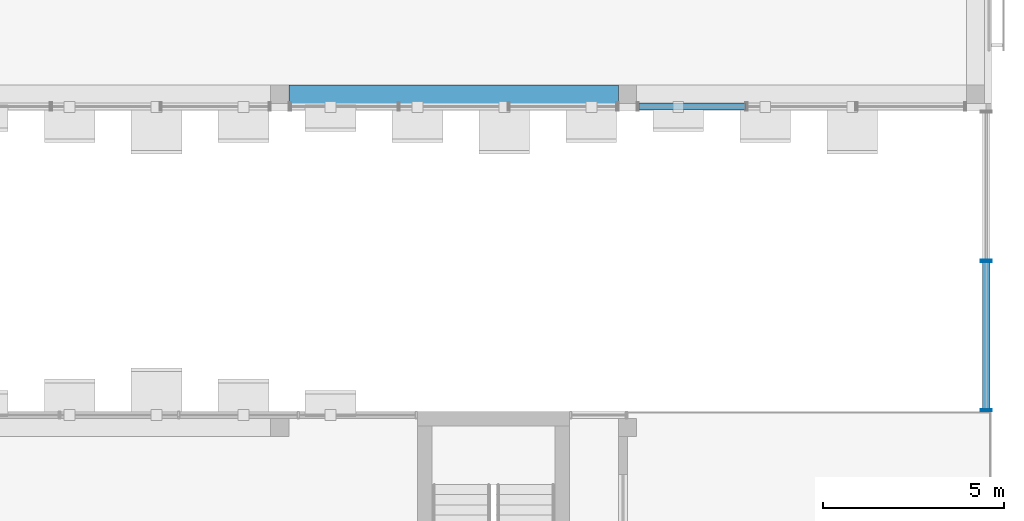
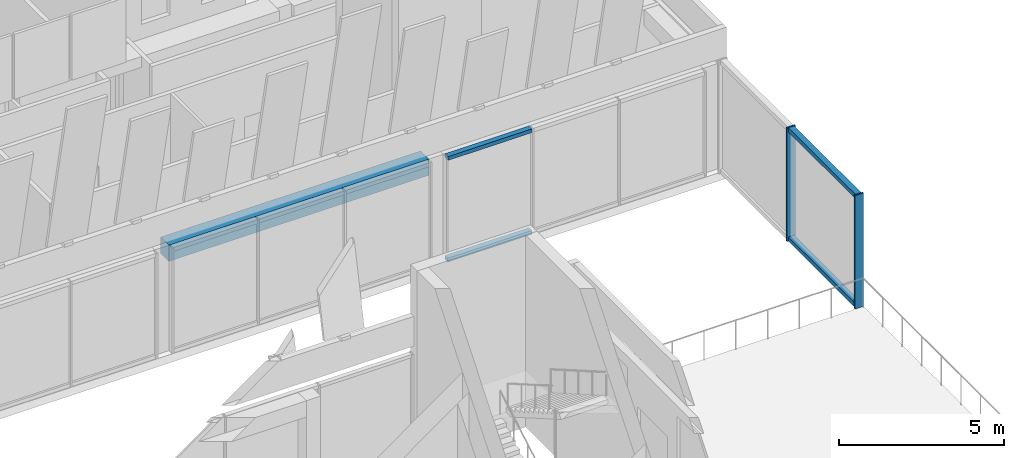
# One storey, part 9 of 26: 6 members, 1 beam, 2 elements without a shape of their own.
"""IFC4 building model written with IfcOpenShell, lengths in metres."""

from ifc_helpers import new_model, si_unit, direction, frame, origin, origin_2d, place, context, subcontext, project, spatial, rectangle, hollow_rectangle, extrude, material, layer, layer_set, material_profile, profile_set, type_object, element, aggregate, save


model = new_model("IFC4")

# Units and contexts
model_context = context("Model", 3, precision=1e-05, world=origin(), true_north=direction((0.0, 1.0)))
body_context = subcontext(model_context, "Body", "Model", "MODEL_VIEW")
ifc_project = project(units=[si_unit("LENGTHUNIT", "METRE"), si_unit("AREAUNIT", "SQUARE_METRE"), si_unit("VOLUMEUNIT", "CUBIC_METRE"), si_unit("PLANEANGLEUNIT", "RADIAN"), si_unit("MASSUNIT", "GRAM", prefix="KILO")], contexts=[model_context])

# Site, building, storey
site_placement = place(None, origin())
site = spatial("IfcSite", under=ifc_project, at=site_placement, CompositionType="ELEMENT")
building_placement = place(site_placement, origin())
building = spatial("IfcBuilding", under=site, at=building_placement, Name="Nzadi Deep Aquarium and Research Tower", CompositionType="ELEMENT")
storey_placement = place(building_placement, frame((0.0, 0.0, 78.10009765625)))
storey = spatial("IfcBuildingStorey", under=building, at=storey_placement, Name="L16", CompositionType="ELEMENT", Elevation=78.10009765625)

# Curtain wall, members
ifc_material_1 = material(Name="Aluminium unitised frame wind post", Category="aluminium")
ifc_layer_1 = layer(ifc_material_1, 0.300048828125)
ifc_layer_set_1 = layer_set([ifc_layer_1], Name="Aluminium unitised frame wind post")
curtain_wall_type_1 = type_object("IfcCurtainWallType", Name="Curtain wall Slot End 300", PredefinedType="NOTDEFINED", material=ifc_layer_set_1)
curtain_wall_1_placement = place(storey_placement, origin())
curtain_wall_1 = element("IfcCurtainWall", 1, at=curtain_wall_1_placement, inside=storey, type_object=curtain_wall_type_1, Name="Glazed slot end east L16", PredefinedType="NOTDEFINED")
ifc_material_2 = material(Name="Aluminium unitised frame wind post", Category="aluminium")
ifc_material_profile_1 = material_profile(ifc_material_2, hollow_rectangle(XDim=0.300048828125, YDim=0.06005859375, WallThickness=0.0048828125, at=origin_2d()))
ifc_profile_set_1 = profile_set([ifc_material_profile_1], Name="Aluminium unitised frame wind post")
member_type_1 = type_object("IfcMemberType", Name="Mullion 60x300 Slot End", PredefinedType="MULLION", material=ifc_profile_set_1)
member_1_placement = place(storey_placement, frame((38.699951171875, 18.8798828125, 0.0), z_axis=(0.0, 0.0, 1.0), x_axis=(-1.0, 0.0, 0.0)))
member_1 = element("IfcMember", 2, at=member_1_placement, type_object=member_type_1, Name="CW224 mullion 1", PredefinedType="MULLION", context=body_context, shape_type="SweptSolid", body=[
    extrude(hollow_rectangle(XDim=0.300048828125, YDim=0.06005859375, WallThickness=0.0048828125, at=origin_2d()), origin(), (0.0, 0.0, 1.0), 4.199951171875),
])
member_2_placement = place(storey_placement, frame((38.699951171875, 23.0, 0.0), z_axis=(0.0, 0.0, 1.0), x_axis=(-1.0, 0.0, 0.0)))
member_2 = element("IfcMember", 3, at=member_2_placement, type_object=member_type_1, Name="CW224 mullion 2", PredefinedType="MULLION", context=body_context, shape_type="SweptSolid", body=[
    extrude(hollow_rectangle(XDim=0.300048828125, YDim=0.06005859375, WallThickness=0.0048828125, at=origin_2d()), origin(), (0.0, 0.0, 1.0), 4.199951171875),
])

# Beam
ifc_material_3 = material(Name="Concrete C35/45", Category="concrete")
ifc_material_profile_2 = material_profile(ifc_material_3, rectangle(XDim=0.5, YDim=0.60009765625, at=origin_2d()))
ifc_profile_set_2 = profile_set([ifc_material_profile_2], Name="Concrete C35/45")
beam_type = type_object("IfcBeamType", Name="RC 500x600", PredefinedType="BEAM", material=ifc_profile_set_2)
beam_placement = place(storey_placement, frame((19.449951171875, 27.60009765625, 3.599853515625), z_axis=(1.0, 0.0, 0.0), x_axis=(0.0, 1.0, 0.0)))
element("IfcBeam", 4, at=beam_placement, inside=storey, type_object=beam_type, Name="B-Z1-L16-L4-3", PredefinedType="BEAM", context=body_context, shape_type="SweptSolid", body=[
    extrude(rectangle(XDim=0.5, YDim=0.60009765625, at=origin_2d()), origin(), (0.0, 0.0, 1.0), 9.10009765625),
])

# Curtain wall, members
ifc_material_4 = material(Name="Aluminium unitised frame deep", Category="aluminium")
ifc_layer_2 = layer(ifc_material_4, 0.22509765625)
ifc_layer_set_2 = layer_set([ifc_layer_2], Name="Aluminium unitised frame deep")
curtain_wall_type_2 = type_object("IfcCurtainWallType", Name="Curtain wall Unitised Deep 225", PredefinedType="NOTDEFINED", material=ifc_layer_set_2)
curtain_wall_2_placement = place(storey_placement, origin())
curtain_wall_2 = element("IfcCurtainWall", 5, at=curtain_wall_2_placement, inside=storey, type_object=curtain_wall_type_2, Name="Unitised curtain wall blade B south L16", PredefinedType="NOTDEFINED")
ifc_material_5 = material(Name="Aluminium unitised frame deep", Category="aluminium")
ifc_material_profile_3 = material_profile(ifc_material_5, hollow_rectangle(XDim=0.179931640625, YDim=0.139892578125, WallThickness=0.0048828125, at=origin_2d()))
ifc_profile_set_3 = profile_set([ifc_material_profile_3], Name="Aluminium unitised frame deep")
member_type_2 = type_object("IfcMemberType", Name="Transom 140x180 Unitised Deep", PredefinedType="MULLION", material=ifc_profile_set_3)
member_3_placement = place(storey_placement, frame((29.110107421875, 27.262451171875, 0.06982421875), z_axis=(1.0, 0.0, 0.0), x_axis=(0.0, 1.0, 0.0)))
member_3 = element("IfcMember", 6, at=member_3_placement, type_object=member_type_2, Name="CW195 transom 1.1", PredefinedType="MULLION", context=body_context, shape_type="SweptSolid", body=[
    extrude(hollow_rectangle(XDim=0.179931640625, YDim=0.139892578125, WallThickness=0.0048828125, at=origin_2d()), origin(), (0.0, 0.0, 1.0), 2.943115234375),
])
member_4_placement = place(storey_placement, frame((29.110107421875, 27.262451171875, 3.829833984375), z_axis=(1.0, 0.0, 0.0), x_axis=(0.0, 1.0, 0.0)))
member_4 = element("IfcMember", 7, at=member_4_placement, type_object=member_type_2, Name="CW195 transom 1.2", PredefinedType="MULLION", context=body_context, shape_type="SweptSolid", body=[
    extrude(hollow_rectangle(XDim=0.179931640625, YDim=0.139892578125, WallThickness=0.0048828125, at=origin_2d()), origin(), (0.0, 0.0, 1.0), 2.943115234375),
])
aggregate(curtain_wall_2, [member_3, member_4])

# Member
ifc_material_6 = material(Name="Aluminium unitised frame wind post", Category="aluminium")
ifc_material_profile_4 = material_profile(ifc_material_6, hollow_rectangle(XDim=0.199951171875, YDim=0.159912109375, WallThickness=0.0048828125, at=origin_2d()))
ifc_profile_set_4 = profile_set([ifc_material_profile_4], Name="Aluminium unitised frame wind post")
member_type_3 = type_object("IfcMemberType", Name="Transom 160x200 Slot End", PredefinedType="MULLION", material=ifc_profile_set_4)
member_5_placement = place(storey_placement, frame((38.699951171875, 18.909912109375, 0.079833984375), z_axis=(0.0, 1.0, 0.0), x_axis=(-1.0, 0.0, 0.0)))
member_5 = element("IfcMember", 8, at=member_5_placement, type_object=member_type_3, Name="CW224 transom 1.1", PredefinedType="MULLION", context=body_context, shape_type="SweptSolid", body=[
    extrude(hollow_rectangle(XDim=0.199951171875, YDim=0.159912109375, WallThickness=0.0048828125, at=origin_2d()), origin(), (0.0, 0.0, 1.0), 4.06005859375),
])

member_6_placement = place(storey_placement, frame((38.699951171875, 18.909912109375, 4.119873046875), z_axis=(0.0, 1.0, 0.0), x_axis=(-1.0, 0.0, 0.0)))
member_6 = element("IfcMember", 9, at=member_6_placement, type_object=member_type_3, Name="CW224 transom 1.2", PredefinedType="MULLION", context=body_context, shape_type="SweptSolid", body=[
    extrude(hollow_rectangle(XDim=0.199951171875, YDim=0.159912109375, WallThickness=0.0048828125, at=origin_2d()), origin(), (0.0, 0.0, 1.0), 4.06005859375),
])

aggregate(curtain_wall_1, [member_1, member_2, member_5, member_6])

save(model, "model.ifc")
